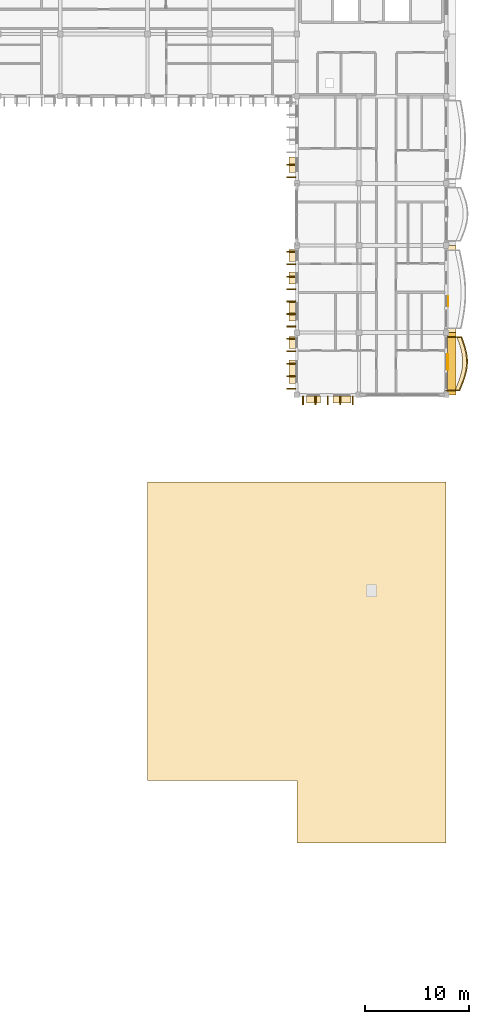
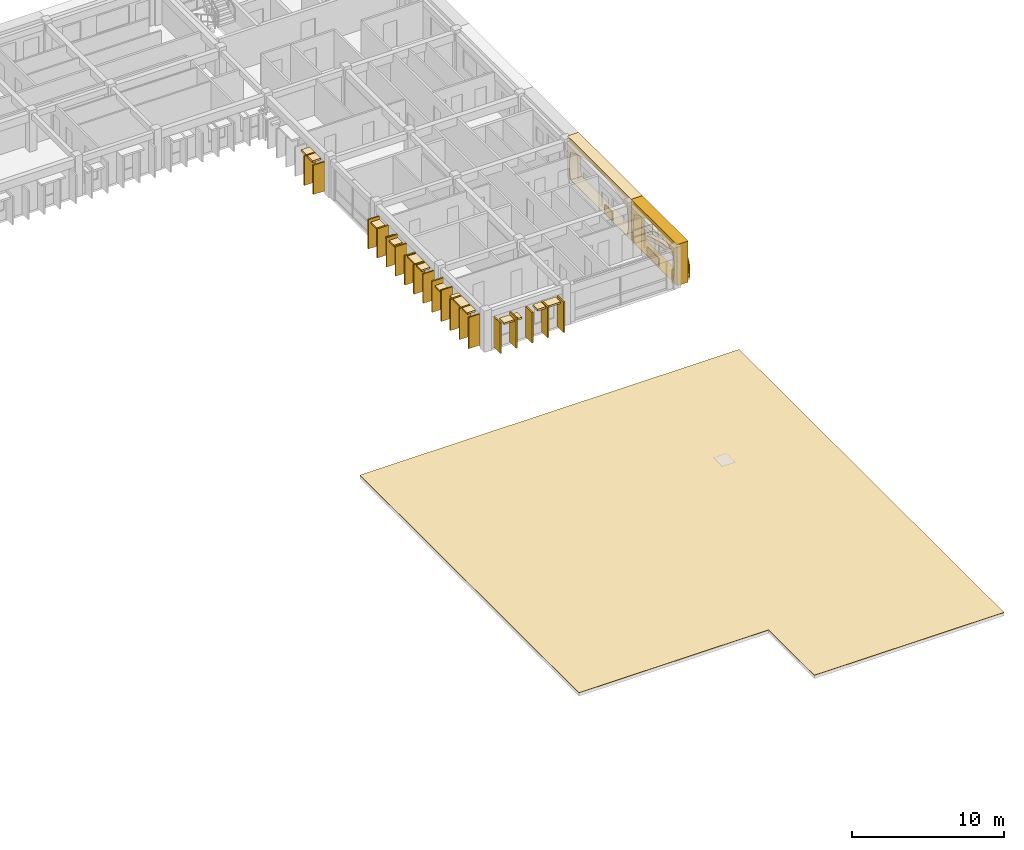
# One storey, part 51 of 54: 33 coverings, 1 railing.
"""IFC4 building model written with IfcOpenShell, lengths in metres."""

from ifc_helpers import new_model, si_unit, direction, frame, origin, origin_2d, place, context, subcontext, project, spatial, polyline, rectangle, outline, extrude, material, layer, layer_set, type_object, element, save


model = new_model("IFC4")

# Units and contexts
model_context = context("Model", 3, precision=1e-05, world=origin(), true_north=direction((0.0, 1.0)))
body_context = subcontext(model_context, "Body", "Model", "MODEL_VIEW")
ifc_project = project(units=[si_unit("LENGTHUNIT", "METRE"), si_unit("AREAUNIT", "SQUARE_METRE"), si_unit("VOLUMEUNIT", "CUBIC_METRE"), si_unit("PLANEANGLEUNIT", "RADIAN"), si_unit("MASSUNIT", "GRAM", prefix="KILO"), si_unit("THERMODYNAMICTEMPERATUREUNIT", "KELVIN")], contexts=[model_context])

# Site, building, storey
site_placement = place(None, origin())
site = spatial("IfcSite", under=ifc_project, at=site_placement, CompositionType="ELEMENT")
building_placement = place(site_placement, origin())
building = spatial("IfcBuilding", under=site, at=building_placement, Name="Thalorik Housing Commons", CompositionType="ELEMENT")
storey_placement = place(building_placement, frame((0.0, 0.0, 31.199951171875)))
storey = spatial("IfcBuildingStorey", under=building, at=storey_placement, Name="L09", CompositionType="ELEMENT", Elevation=31.199951171875)

# Coverings
ifc_material_1 = material(Name="Cobalt blue glazed ceramic facade tile panel", Category="masonry")
ifc_layer_1 = layer(ifc_material_1, 0.06005859375, Name="Cobalt blue glazed ceramic facade tile panel", Category="masonry")
ifc_layer_set_1 = layer_set([ifc_layer_1], Name="Cobalt blue glazed ceramic facade tile panel")
covering_type_1 = type_object("IfcCoveringType", Name="ARC-CLD-BLU-60", PredefinedType="CLADDING", material=ifc_layer_set_1)
covering_1_placement = place(storey_placement, frame((166.952392578125, 83.57177734375, 0.05029296875), z_axis=(0.0, 0.0, 1.0), x_axis=(0.0, 1.0, 0.0)))
element("IfcCovering", 1, at=covering_1_placement, inside=storey, type_object=covering_type_1, Name="L09 De Stijl Recessed Window Spandrel 3031", PredefinedType="CLADDING", context=body_context, shape_type="SweptSolid", body=[
    extrude(rectangle(XDim=1.47998046875, YDim=0.06005859375, at=origin_2d()), origin(), (0.0, 0.0, 1.0), 0.699951171875),
])
ifc_material_2 = material(Name="Precast concrete C40/50", Category="concrete")
ifc_layer_2 = layer(ifc_material_2, 0.85009765625, Name="Precast concrete C40/50", Category="concrete")
ifc_layer_set_2 = layer_set([ifc_layer_2], Name="Precast concrete C40/50")
covering_type_2 = type_object("IfcCoveringType", Name="ARC-CLD-CUSH-850", PredefinedType="CLADDING", material=ifc_layer_set_2)
covering_2_placement = place(storey_placement, frame((167.342529296875, 83.39990234375, 0.0), z_axis=(0.0, 0.0, 1.0), x_axis=(0.0, 1.0, 0.0)))
element("IfcCovering", 2, at=covering_2_placement, inside=storey, type_object=covering_type_2, Name="L09 White Precast Curved Cushion Bay Frame 3030", PredefinedType="CLADDING", context=body_context, shape_type="SweptSolid", body=[
    extrude(outline(polyline([(-3.0, 0.0), (3.0, 0.0), (3.0, 3.300048828125), (-3.0, 3.300048828125), (-3.0, 0.0)]), holes=[polyline([(2.56689453125, 0.02490234375), (2.658203125, 0.410888671875), (2.713134765625, 0.796630859375), (2.7314453125, 1.1826171875), (2.713134765625, 1.568359375), (2.658203125, 1.9541015625), (2.56689453125, 2.340087890625), (2.150390625, 2.552978515625), (1.73388671875, 2.720458984375), (1.317626953125, 2.85595703125), (0.901123046875, 2.956787109375), (0.48486328125, 3.01904296875), (0.068359375, 3.0400390625), (-0.347900390625, 3.01904296875), (-0.764404296875, 2.956787109375), (-1.180908203125, 2.85595703125), (-1.59716796875, 2.720458984375), (-2.013671875, 2.552978515625), (-2.429931640625, 2.340087890625), (-2.55029296875, 1.9541015625), (-2.62255859375, 1.568359375), (-2.646484375, 1.1826171875), (-2.62255859375, 0.796630859375), (-2.55029296875, 0.410888671875), (-2.429931640625, 0.02490234375), (2.56689453125, 0.02490234375)])]), frame((0.0, 0.425048828125, 0.0), z_axis=(0.0, -1.0, 0.0), x_axis=(1.0, 0.0, 0.0)), (0.0, 0.0, 1.0), 0.85009765625),
])
covering_3_placement = place(storey_placement, frame((167.342529296875, 90.60009765625, 0.0), z_axis=(0.0, 0.0, 1.0), x_axis=(0.0, 1.0, 0.0)))
element("IfcCovering", 3, at=covering_3_placement, inside=storey, type_object=covering_type_2, Name="L09 White Precast Curved Cushion Bay Frame 3032", PredefinedType="CLADDING", context=body_context, shape_type="SweptSolid", body=[
    extrude(outline(polyline([(-4.199951171875, 0.0), (4.199951171875, 0.0), (4.199951171875, 3.300048828125), (-4.199951171875, 3.300048828125), (-4.199951171875, 0.0)]), holes=[polyline([(3.7626953125, 0.02490234375), (3.85498046875, 0.394287109375), (3.910400390625, 0.76318359375), (3.928955078125, 1.132568359375), (3.910400390625, 1.501708984375), (3.85498046875, 1.870849609375), (3.7626953125, 2.239990234375), (3.146728515625, 2.4833984375), (2.53076171875, 2.6748046875), (1.91455078125, 2.82958984375), (1.298583984375, 2.94482421875), (0.6826171875, 3.01611328125), (0.06640625, 3.0400390625), (-0.5498046875, 3.01611328125), (-1.165771484375, 2.94482421875), (-1.78173828125, 2.82958984375), (-2.39794921875, 2.6748046875), (-3.013916015625, 2.4833984375), (-3.6298828125, 2.239990234375), (-3.750244140625, 1.870849609375), (-3.822509765625, 1.501708984375), (-3.8466796875, 1.132568359375), (-3.822509765625, 0.76318359375), (-3.750244140625, 0.394287109375), (-3.6298828125, 0.02490234375), (3.7626953125, 0.02490234375)])]), frame((0.0, 0.425048828125, 0.0), z_axis=(0.0, -1.0, 0.0), x_axis=(1.0, 0.0, 0.0)), (0.0, 0.0, 1.0), 0.85009765625),
])
ifc_layer_3 = layer(ifc_material_2, 0.85009765625, Name="Precast concrete C40/50", Category="concrete")
ifc_layer_set_3 = layer_set([ifc_layer_3], Name="Precast concrete C40/50")
covering_type_3 = type_object("IfcCoveringType", Name="ARC-CLD-FIN-850", PredefinedType="CLADDING", material=ifc_layer_set_3)
for number, where, z_axis, x_axis, name in (
    (4, (151.857421875, 102.60009765625, 0.0400390625), (0.0, 0.0, 1.0), (0.0, -1.0, 0.0), "L09 Courtyard Precast Vertical Brise-Soleil Fin 3001"),
    (5, (151.857421875, 101.39990234375, 0.0400390625), (0.0, 0.0, 1.0), (0.0, -1.0, 0.0), "L09 Courtyard Precast Vertical Brise-Soleil Fin 3002"),
    (6, (151.857421875, 94.199951171875, 0.0400390625), (0.0, 0.0, 1.0), (0.0, -1.0, 0.0), "L09 Courtyard Precast Vertical Brise-Soleil Fin 3006"),
    (7, (151.857421875, 93.0, 0.0400390625), (0.0, 0.0, 1.0), (0.0, -1.0, 0.0), "L09 Courtyard Precast Vertical Brise-Soleil Fin 3007"),
    (8, (151.857421875, 91.800048828125, 0.0400390625), (0.0, 0.0, 1.0), (0.0, -1.0, 0.0), "L09 Courtyard Precast Vertical Brise-Soleil Fin 3008"),
    (9, (151.857421875, 90.60009765625, 0.0400390625), (0.0, 0.0, 1.0), (0.0, -1.0, 0.0), "L09 Courtyard Precast Vertical Brise-Soleil Fin 3009"),
    (10, (151.857421875, 89.39990234375, 0.0400390625), (0.0, 0.0, 1.0), (0.0, -1.0, 0.0), "L09 Courtyard Precast Vertical Brise-Soleil Fin 3010"),
    (11, (151.857421875, 88.199951171875, 0.0400390625), (0.0, 0.0, 1.0), (0.0, -1.0, 0.0), "L09 Courtyard Precast Vertical Brise-Soleil Fin 3011"),
    (12, (151.857421875, 87.0, 0.0400390625), (0.0, 0.0, 1.0), (0.0, -1.0, 0.0), "L09 Courtyard Precast Vertical Brise-Soleil Fin 3012"),
):
    element("IfcCovering", number, at=place(storey_placement, frame(where, z_axis=z_axis, x_axis=x_axis)), inside=storey, type_object=covering_type_3, Name=name, PredefinedType="CLADDING", context=body_context, shape_type="SweptSolid", body=[
        extrude(rectangle(XDim=0.110107421875, YDim=0.85009765625, at=origin_2d()), origin(), (0.0, 0.0, 1.0), 2.344970703125),
    ])
for number, where, z_axis, x_axis, name in (
    (13, (151.857421875, 85.800048828125, 0.0400390625), (0.0, 0.0, 1.0), (0.0, -1.0, 0.0), "L09 Courtyard Precast Vertical Brise-Soleil Fin 3016"),
    (14, (151.857421875, 84.60009765625, 0.0400390625), (0.0, 0.0, 1.0), (0.0, -1.0, 0.0), "L09 Courtyard Precast Vertical Brise-Soleil Fin 3017"),
    (15, (151.857421875, 83.39990234375, 0.0400390625), (0.0, 0.0, 1.0), (0.0, -1.0, 0.0), "L09 Courtyard Precast Vertical Brise-Soleil Fin 3018"),
    (16, (151.857421875, 82.199951171875, 0.0400390625), (0.0, 0.0, 1.0), (0.0, -1.0, 0.0), "L09 Courtyard Precast Vertical Brise-Soleil Fin 3019"),
    (17, (151.857421875, 81.0, 0.0400390625), (0.0, 0.0, 1.0), (0.0, -1.0, 0.0), "L09 Courtyard Precast Vertical Brise-Soleil Fin 3020"),
):
    element("IfcCovering", number, at=place(storey_placement, frame(where, z_axis=z_axis, x_axis=x_axis)), inside=storey, type_object=covering_type_3, Name=name, PredefinedType="CLADDING", context=body_context, shape_type="SweptSolid", body=[
        extrude(rectangle(XDim=0.110107421875, YDim=0.85009765625, at=origin_2d()), origin(), (0.0, 0.0, 1.0), 2.4951171875),
    ])
for number, where, z_axis, x_axis, name in (
    (18, (153.0, 79.857421875, 0.0400390625), (0.0, 0.0, 1.0), (1.0, 0.0, 0.0), "L09 Courtyard Precast Vertical Brise-Soleil Fin 3023"),
    (19, (154.199951171875, 79.857421875, 0.0400390625), (0.0, 0.0, 1.0), (1.0, 0.0, 0.0), "L09 Courtyard Precast Vertical Brise-Soleil Fin 3024"),
    (20, (155.39990234375, 79.857421875, 0.0400390625), (0.0, 0.0, 1.0), (1.0, 0.0, 0.0), "L09 Courtyard Precast Vertical Brise-Soleil Fin 3025"),
    (21, (156.60009765625, 79.857421875, 0.0400390625), (0.0, 0.0, 1.0), (1.0, 0.0, 0.0), "L09 Courtyard Precast Vertical Brise-Soleil Fin 3026"),
    (22, (157.800048828125, 79.857421875, 0.0400390625), (0.0, 0.0, 1.0), (1.0, 0.0, 0.0), "L09 Courtyard Precast Vertical Brise-Soleil Fin 3027"),
):
    element("IfcCovering", number, at=place(storey_placement, frame(where, z_axis=z_axis, x_axis=x_axis)), inside=storey, type_object=covering_type_3, Name=name, PredefinedType="CLADDING", context=body_context, shape_type="SweptSolid", body=[
        extrude(rectangle(XDim=0.110107421875, YDim=0.85009765625, at=origin_2d()), origin(), (0.0, 0.0, 1.0), 2.445068359375),
    ])
ifc_layer_4 = layer(ifc_material_2, 0.64990234375, Name="Precast concrete C40/50", Category="concrete")
ifc_layer_set_4 = layer_set([ifc_layer_4], Name="Precast concrete C40/50")
covering_type_4 = type_object("IfcCoveringType", Name="ARC-CLD-HOOD-650", PredefinedType="CLADDING", material=ifc_layer_set_4)
covering_4_placement = place(storey_placement, frame((151.95751953125, 102.580078125, 2.240234375), z_axis=(0.0, 0.0, 1.0), x_axis=(0.0, -1.0, 0.0)))
element("IfcCovering", 23, at=covering_4_placement, inside=storey, type_object=covering_type_4, Name="L09 Courtyard Precast Window Sun-Hood 3005", PredefinedType="CLADDING", context=body_context, shape_type="SweptSolid", body=[
    extrude(rectangle(XDim=1.489990234375, YDim=0.64990234375, at=origin_2d()), origin(), (0.0, 0.0, 1.0), 0.139892578125),
])
for number, where, z_axis, x_axis, name in (
    (24, (151.95751953125, 93.824951171875, 1.990234375), (0.0, 0.0, 1.0), (0.0, -1.0, 0.0), "L09 Courtyard Precast Window Sun-Hood 3013"),
    (25, (151.95751953125, 91.659912109375, 1.990234375), (0.0, 0.0, 1.0), (0.0, -1.0, 0.0), "L09 Courtyard Precast Window Sun-Hood 3014"),
):
    element("IfcCovering", number, at=place(storey_placement, frame(where, z_axis=z_axis, x_axis=x_axis)), inside=storey, type_object=covering_type_4, Name=name, PredefinedType="CLADDING", context=body_context, shape_type="SweptSolid", body=[
        extrude(rectangle(XDim=1.139892578125, YDim=0.64990234375, at=origin_2d()), origin(), (0.0, 0.0, 1.0), 0.139892578125),
    ])
covering_5_placement = place(storey_placement, frame((151.95751953125, 88.43505859375, 2.169921875), z_axis=(0.0, 0.0, 1.0), x_axis=(0.0, -1.0, 0.0)))
element("IfcCovering", 26, at=covering_5_placement, inside=storey, type_object=covering_type_4, Name="L09 Courtyard Precast Window Sun-Hood 3015", PredefinedType="CLADDING", context=body_context, shape_type="SweptSolid", body=[
    extrude(rectangle(XDim=1.860107421875, YDim=0.64990234375, at=origin_2d()), origin(), (0.0, 0.0, 1.0), 0.139892578125),
])
covering_6_placement = place(storey_placement, frame((151.95751953125, 85.43994140625, 1.990234375), z_axis=(0.0, 0.0, 1.0), x_axis=(0.0, -1.0, 0.0)))
element("IfcCovering", 27, at=covering_6_placement, inside=storey, type_object=covering_type_4, Name="L09 Courtyard Precast Window Sun-Hood 3021", PredefinedType="CLADDING", context=body_context, shape_type="SweptSolid", body=[
    extrude(rectangle(XDim=1.139892578125, YDim=0.64990234375, at=origin_2d()), origin(), (0.0, 0.0, 1.0), 0.139892578125),
])
covering_7_placement = place(storey_placement, frame((151.95751953125, 82.6298828125, 2.39013671875), z_axis=(0.0, 0.0, 1.0), x_axis=(0.0, -1.0, 0.0)))
element("IfcCovering", 28, at=covering_7_placement, inside=storey, type_object=covering_type_4, Name="L09 Courtyard Precast Window Sun-Hood 3022", PredefinedType="CLADDING", context=body_context, shape_type="SweptSolid", body=[
    extrude(rectangle(XDim=2.2900390625, YDim=0.64990234375, at=origin_2d()), origin(), (0.0, 0.0, 1.0), 0.139892578125),
])
covering_8_placement = place(storey_placement, frame((154.030029296875, 79.95751953125, 2.09033203125), z_axis=(0.0, 0.0, 1.0), x_axis=(1.0, 0.0, 0.0)))
element("IfcCovering", 29, at=covering_8_placement, inside=storey, type_object=covering_type_4, Name="L09 Courtyard Precast Window Sun-Hood 3028", PredefinedType="CLADDING", context=body_context, shape_type="SweptSolid", body=[
    extrude(rectangle(XDim=1.340087890625, YDim=0.64990234375, at=origin_2d()), origin(), (0.0, 0.0, 1.0), 0.139892578125),
])
covering_9_placement = place(storey_placement, frame((156.77001953125, 79.95751953125, 2.2900390625), z_axis=(0.0, 0.0, 1.0), x_axis=(1.0, 0.0, 0.0)))
element("IfcCovering", 30, at=covering_9_placement, inside=storey, type_object=covering_type_4, Name="L09 Courtyard Precast Window Sun-Hood 3029", PredefinedType="CLADDING", context=body_context, shape_type="SweptSolid", body=[
    extrude(rectangle(XDim=1.739990234375, YDim=0.64990234375, at=origin_2d()), origin(), (0.0, 0.0, 1.0), 0.139892578125),
])
ifc_material_3 = material(Name="Mineral ochre architectural terracotta panel", Category="masonry")
ifc_layer_5 = layer(ifc_material_3, 0.06494140625, Name="Mineral ochre architectural terracotta panel", Category="masonry")
ifc_layer_set_5 = layer_set([ifc_layer_5], Name="Mineral ochre architectural terracotta panel")
covering_type_5 = type_object("IfcCoveringType", Name="ARC-CLD-YEL-65", PredefinedType="CLADDING", material=ifc_layer_set_5)
covering_10_placement = place(storey_placement, frame((166.955078125, 89.425048828125, 0.05029296875), z_axis=(0.0, 0.0, 1.0), x_axis=(0.0, 1.0, 0.0)))
element("IfcCovering", 31, at=covering_10_placement, inside=storey, type_object=covering_type_5, Name="L09 De Stijl Recessed Window Spandrel 3033", PredefinedType="CLADDING", context=body_context, shape_type="SweptSolid", body=[
    extrude(rectangle(XDim=0.949951171875, YDim=0.06494140625, at=origin_2d()), origin(), (0.0, 0.0, 1.0), 0.699951171875),
])
ifc_material_4 = material(Name="Planted vegetated substrate and terracotta trough", Category="masonry")
ifc_layer_6 = layer(ifc_material_4, 0.340087890625, Name="Planted vegetated substrate and terracotta trough", Category="masonry")
ifc_layer_set_6 = layer_set([ifc_layer_6], Name="Planted vegetated substrate and terracotta trough")
covering_type_6 = type_object("IfcCoveringType", Name="ARC-COV-PLANTER", PredefinedType="USERDEFINED", material=ifc_layer_set_6)
covering_11_placement = place(storey_placement, origin())
element("IfcCovering", 32, at=covering_11_placement, inside=storey, type_object=covering_type_6, Name="L09 Balcony Slab-Edge Planted Trough 5536", ObjectType="PLANTER", PredefinedType="USERDEFINED", context=body_context, shape_type="SweptSolid", body=[
    extrude(outline(polyline([(168.031494140625, 80.820068359375), (168.20947265625, 81.25), (168.378173828125, 81.679931640625), (168.527099609375, 82.110107421875), (168.646484375, 82.5400390625), (168.7294921875, 82.969970703125), (168.7705078125, 83.39990234375), (168.767822265625, 83.830078125), (168.72216796875, 84.260009765625), (168.63720703125, 84.68994140625), (168.518798828125, 85.1201171875), (168.375732421875, 85.550048828125), (168.217529296875, 85.97998046875), (167.837646484375, 85.97998046875), (167.99560546875, 85.550048828125), (168.138916015625, 85.1201171875), (168.257080078125, 84.68994140625), (168.342041015625, 84.260009765625), (168.3876953125, 83.830078125), (168.390380859375, 83.39990234375), (168.349365234375, 82.969970703125), (168.2666015625, 82.5400390625), (168.147216796875, 82.110107421875), (167.998291015625, 81.679931640625), (167.82958984375, 81.25), (167.651611328125, 80.820068359375), (168.031494140625, 80.820068359375)])), origin(), (0.0, 0.0, 1.0), 0.340087890625),
])

# Railing
ifc_material_5 = material(Name="Steel S355", Category="steel")
railing_type = type_object("IfcRailingType", Name="ARC-RL-BAL-112", PredefinedType="BALUSTRADE", material=ifc_material_5)
railing_placement = place(storey_placement, frame((166.800048828125, 80.820068359375, 0.0)))
element("IfcRailing", 33, at=railing_placement, inside=storey, type_object=railing_type, Name="L09 Cushion Balcony Guardrail 220", PredefinedType="BALUSTRADE", context=body_context, shape_type="SweptSolid", body=[
    extrude(rectangle(XDim=0.050048828125, YDim=0.050048828125, at=origin_2d()), frame((0.0, 0.0, 1.09521484375), z_axis=(1.0, 0.0, 0.0), x_axis=(0.0, 1.0, 0.0)), (0.0, 0.0, 1.0), 1.301513671875),
    extrude(rectangle(XDim=0.050048828125, YDim=0.050048828125, at=origin_2d()), frame((0.0, 0.0, 0.53515625), z_axis=(1.0, 0.0, 0.0), x_axis=(0.0, 1.0, 0.0)), (0.0, 0.0, 1.0), 1.301513671875),
    extrude(rectangle(XDim=0.050048828125, YDim=0.050048828125, at=origin_2d()), frame((1.301513671875, 0.0, 1.09521484375), z_axis=(0.382490814953, 0.923959293734, 0.0), x_axis=(-0.923959293734, 0.382490814953, 0.0)), (0.0, 0.0, 1.0), 0.46533203125),
    extrude(rectangle(XDim=0.050048828125, YDim=0.050048828125, at=origin_2d()), frame((1.301513671875, 0.0, 0.53515625), z_axis=(0.382490814953, 0.923959293734, 0.0), x_axis=(-0.923959293734, 0.382490814953, 0.0)), (0.0, 0.0, 1.0), 0.46533203125),
    extrude(rectangle(XDim=0.050048828125, YDim=0.050048828125, at=origin_2d()), frame((1.4794921875, 0.429931640625, 1.09521484375), z_axis=(0.365276175651, 0.930899197283, 0.0), x_axis=(-0.930899197283, 0.365276175651, 0.0)), (0.0, 0.0, 1.0), 0.4619140625),
    extrude(rectangle(XDim=0.050048828125, YDim=0.050048828125, at=origin_2d()), frame((1.4794921875, 0.429931640625, 0.53515625), z_axis=(0.365276175651, 0.930899197283, 0.0), x_axis=(-0.930899197283, 0.365276175651, 0.0)), (0.0, 0.0, 1.0), 0.4619140625),
    extrude(rectangle(XDim=0.050048828125, YDim=0.050048828125, at=origin_2d()), frame((1.648193359375, 0.85986328125, 1.09521484375), z_axis=(0.327147403761, 0.944973320371, 0.0), x_axis=(-0.944973320371, 0.327147403761, 0.0)), (0.0, 0.0, 1.0), 0.455322265625),
    extrude(rectangle(XDim=0.050048828125, YDim=0.050048828125, at=origin_2d()), frame((1.648193359375, 0.85986328125, 0.53515625), z_axis=(0.327147403761, 0.944973320371, 0.0), x_axis=(-0.944973320371, 0.327147403761, 0.0)), (0.0, 0.0, 1.0), 0.455322265625),
    extrude(rectangle(XDim=0.050048828125, YDim=0.050048828125, at=origin_2d()), frame((1.797119140625, 1.2900390625, 1.09521484375), z_axis=(0.267559202538, 0.963541422637, 0.0), x_axis=(-0.963541422637, 0.267559202538, 0.0)), (0.0, 0.0, 1.0), 0.4462890625),
    extrude(rectangle(XDim=0.050048828125, YDim=0.050048828125, at=origin_2d()), frame((1.797119140625, 1.2900390625, 0.53515625), z_axis=(0.267559202538, 0.963541422637, 0.0), x_axis=(-0.963541422637, 0.267559202538, 0.0)), (0.0, 0.0, 1.0), 0.4462890625),
    extrude(rectangle(XDim=0.050048828125, YDim=0.050048828125, at=origin_2d()), frame((1.91650390625, 1.719970703125, 1.09521484375), z_axis=(0.189033529089, 0.98197063341, 0.0), x_axis=(-0.98197063341, 0.189033529089, 0.0)), (0.0, 0.0, 1.0), 0.437744140625),
    extrude(rectangle(XDim=0.050048828125, YDim=0.050048828125, at=origin_2d()), frame((1.91650390625, 1.719970703125, 0.53515625), z_axis=(0.189033529089, 0.98197063341, 0.0), x_axis=(-0.98197063341, 0.189033529089, 0.0)), (0.0, 0.0, 1.0), 0.437744140625),
    extrude(rectangle(XDim=0.050048828125, YDim=0.050048828125, at=origin_2d()), frame((1.999267578125, 2.14990234375, 1.09521484375), z_axis=(0.095529300691, 0.995426618445, 0.0), x_axis=(-0.995426618445, 0.095529300691, 0.0)), (0.0, 0.0, 1.0), 0.431884765625),
    extrude(rectangle(XDim=0.050048828125, YDim=0.050048828125, at=origin_2d()), frame((1.999267578125, 2.14990234375, 0.53515625), z_axis=(0.095529300691, 0.995426618445, 0.0), x_axis=(-0.995426618445, 0.095529300691, 0.0)), (0.0, 0.0, 1.0), 0.431884765625),
    extrude(rectangle(XDim=0.050048828125, YDim=0.050048828125, at=origin_2d()), frame((2.04052734375, 2.579833984375, 1.09521484375), z_axis=(-0.006242784137, 0.999980513633, 0.0), x_axis=(-0.999980513633, -0.006242784137, 0.0)), (0.0, 0.0, 1.0), 0.43017578125),
    extrude(rectangle(XDim=0.050048828125, YDim=0.050048828125, at=origin_2d()), frame((2.04052734375, 2.579833984375, 0.53515625), z_axis=(-0.006242784137, 0.999980513633, 0.0), x_axis=(-0.999980513633, -0.006242784137, 0.0)), (0.0, 0.0, 1.0), 0.43017578125),
    extrude(rectangle(XDim=0.050048828125, YDim=0.050048828125, at=origin_2d()), frame((2.037841796875, 3.010009765625, 1.09521484375), z_axis=(-0.106154308706, 0.994349668247, 0.0), x_axis=(-0.994349668247, -0.106154308706, 0.0)), (0.0, 0.0, 1.0), 0.432373046875),
    extrude(rectangle(XDim=0.050048828125, YDim=0.050048828125, at=origin_2d()), frame((2.037841796875, 3.010009765625, 0.53515625), z_axis=(-0.106154308706, 0.994349668247, 0.0), x_axis=(-0.994349668247, -0.106154308706, 0.0)), (0.0, 0.0, 1.0), 0.432373046875),
    extrude(rectangle(XDim=0.050048828125, YDim=0.050048828125, at=origin_2d()), frame((1.991943359375, 3.43994140625, 1.09521484375), z_axis=(-0.193865849494, 0.981028048733, 0.0), x_axis=(-0.981028048733, -0.193865849494, 0.0)), (0.0, 0.0, 1.0), 0.438232421875),
    extrude(rectangle(XDim=0.050048828125, YDim=0.050048828125, at=origin_2d()), frame((1.991943359375, 3.43994140625, 0.53515625), z_axis=(-0.193865849494, 0.981028048733, 0.0), x_axis=(-0.981028048733, -0.193865849494, 0.0)), (0.0, 0.0, 1.0), 0.438232421875),
    extrude(rectangle(XDim=0.050048828125, YDim=0.050048828125, at=origin_2d()), frame((1.906982421875, 3.869873046875, 1.09521484375), z_axis=(-0.264876638102, 0.964282306479, 0.0), x_axis=(-0.964282306479, -0.264876638102, 0.0)), (0.0, 0.0, 1.0), 0.446044921875),
    extrude(rectangle(XDim=0.050048828125, YDim=0.050048828125, at=origin_2d()), frame((1.906982421875, 3.869873046875, 0.53515625), z_axis=(-0.264876638102, 0.964282306479, 0.0), x_axis=(-0.964282306479, -0.264876638102, 0.0)), (0.0, 0.0, 1.0), 0.446044921875),
    extrude(rectangle(XDim=0.050048828125, YDim=0.050048828125, at=origin_2d()), frame((1.788818359375, 4.300048828125, 1.09521484375), z_axis=(-0.315742795496, 0.948844817182, 0.0), x_axis=(-0.948844817182, -0.315742795496, 0.0)), (0.0, 0.0, 1.0), 0.453125),
    extrude(rectangle(XDim=0.050048828125, YDim=0.050048828125, at=origin_2d()), frame((1.788818359375, 4.300048828125, 0.53515625), z_axis=(-0.315742795496, 0.948844817182, 0.0), x_axis=(-0.948844817182, -0.315742795496, 0.0)), (0.0, 0.0, 1.0), 0.453125),
    extrude(rectangle(XDim=0.050048828125, YDim=0.050048828125, at=origin_2d()), frame((1.645751953125, 4.72998046875, 1.09521484375), z_axis=(-0.345334884574, 0.938479524282, 0.0), x_axis=(-0.938479524282, -0.345334884574, 0.0)), (0.0, 0.0, 1.0), 0.4580078125),
    extrude(rectangle(XDim=0.050048828125, YDim=0.050048828125, at=origin_2d()), frame((1.645751953125, 4.72998046875, 0.53515625), z_axis=(-0.345334884574, 0.938479524282, 0.0), x_axis=(-0.938479524282, -0.345334884574, 0.0)), (0.0, 0.0, 1.0), 0.4580078125),
    extrude(rectangle(XDim=0.050048828125, YDim=0.050048828125, at=origin_2d()), frame((1.487548828125, 5.159912109375, 1.09521484375), z_axis=(-1.0, 0.0, 0.0), x_axis=(0.0, -1.0, 0.0)), (0.0, 0.0, 1.0), 1.487548828125),
    extrude(rectangle(XDim=0.050048828125, YDim=0.050048828125, at=origin_2d()), frame((1.487548828125, 5.159912109375, 0.53515625), z_axis=(-1.0, 0.0, 0.0), x_axis=(0.0, -1.0, 0.0)), (0.0, 0.0, 1.0), 1.487548828125),
    extrude(rectangle(XDim=0.0419921875, YDim=0.0419921875, at=origin_2d()), origin(), (0.0, 0.0, 1.0), 1.070068359375),
    extrude(rectangle(XDim=0.0419921875, YDim=0.0419921875, at=origin_2d()), frame((1.301513671875, 0.0, 0.0)), (0.0, 0.0, 1.0), 1.070068359375),
    extrude(rectangle(XDim=0.0419921875, YDim=0.0419921875, at=origin_2d()), frame((1.4794921875, 0.429931640625, 0.0)), (0.0, 0.0, 1.0), 1.070068359375),
    extrude(rectangle(XDim=0.0419921875, YDim=0.0419921875, at=origin_2d()), frame((1.648193359375, 0.85986328125, 0.0)), (0.0, 0.0, 1.0), 1.070068359375),
    extrude(rectangle(XDim=0.0419921875, YDim=0.0419921875, at=origin_2d()), frame((1.797119140625, 1.2900390625, 0.0)), (0.0, 0.0, 1.0), 1.070068359375),
    extrude(rectangle(XDim=0.0419921875, YDim=0.0419921875, at=origin_2d()), frame((1.91650390625, 1.719970703125, 0.0)), (0.0, 0.0, 1.0), 1.070068359375),
    extrude(rectangle(XDim=0.0419921875, YDim=0.0419921875, at=origin_2d()), frame((1.999267578125, 2.14990234375, 0.0)), (0.0, 0.0, 1.0), 1.070068359375),
    extrude(rectangle(XDim=0.0419921875, YDim=0.0419921875, at=origin_2d()), frame((2.04052734375, 2.579833984375, 0.0)), (0.0, 0.0, 1.0), 1.070068359375),
    extrude(rectangle(XDim=0.0419921875, YDim=0.0419921875, at=origin_2d()), frame((2.037841796875, 3.010009765625, 0.0)), (0.0, 0.0, 1.0), 1.070068359375),
    extrude(rectangle(XDim=0.0419921875, YDim=0.0419921875, at=origin_2d()), frame((1.991943359375, 3.43994140625, 0.0)), (0.0, 0.0, 1.0), 1.070068359375),
    extrude(rectangle(XDim=0.0419921875, YDim=0.0419921875, at=origin_2d()), frame((1.906982421875, 3.869873046875, 0.0)), (0.0, 0.0, 1.0), 1.070068359375),
    extrude(rectangle(XDim=0.0419921875, YDim=0.0419921875, at=origin_2d()), frame((1.788818359375, 4.300048828125, 0.0)), (0.0, 0.0, 1.0), 1.070068359375),
    extrude(rectangle(XDim=0.0419921875, YDim=0.0419921875, at=origin_2d()), frame((1.645751953125, 4.72998046875, 0.0)), (0.0, 0.0, 1.0), 1.070068359375),
    extrude(rectangle(XDim=0.0419921875, YDim=0.0419921875, at=origin_2d()), frame((1.487548828125, 5.159912109375, 0.0)), (0.0, 0.0, 1.0), 1.070068359375),
    extrude(rectangle(XDim=0.0419921875, YDim=0.0419921875, at=origin_2d()), frame((0.0, 5.159912109375, 0.0)), (0.0, 0.0, 1.0), 1.070068359375),
])

# Covering
ifc_material_6 = material(Name="Reflective white TPO roofing membrane and rigid insulation")
ifc_layer_7 = layer(ifc_material_6, 0.034912109375, Name="Reflective white TPO roofing membrane and rigid insulation")
ifc_layer_set_7 = layer_set([ifc_layer_7], Name="Reflective white TPO roofing membrane and rigid insulation")
covering_type_7 = type_object("IfcCoveringType", Name="ARC-ROOF-MEM-35", PredefinedType="ROOFING", material=ifc_layer_set_7)
covering_12_placement = place(storey_placement, origin())
element("IfcCovering", 34, at=covering_12_placement, inside=storey, type_object=covering_type_7, Name="L09 Block D Waterproofing Membrane", PredefinedType="ROOFING", context=body_context, shape_type="SweptSolid", body=[
    extrude(outline(polyline([(152.39990234375, 72.0), (138.0, 72.0), (138.0, 43.199951171875), (152.39990234375, 43.199951171875), (152.39990234375, 37.199951171875), (166.800048828125, 37.199951171875), (166.800048828125, 72.0), (152.39990234375, 72.0)])), origin(), (0.0, 0.0, 1.0), 0.03515625),
])

save(model, "model.ifc")
